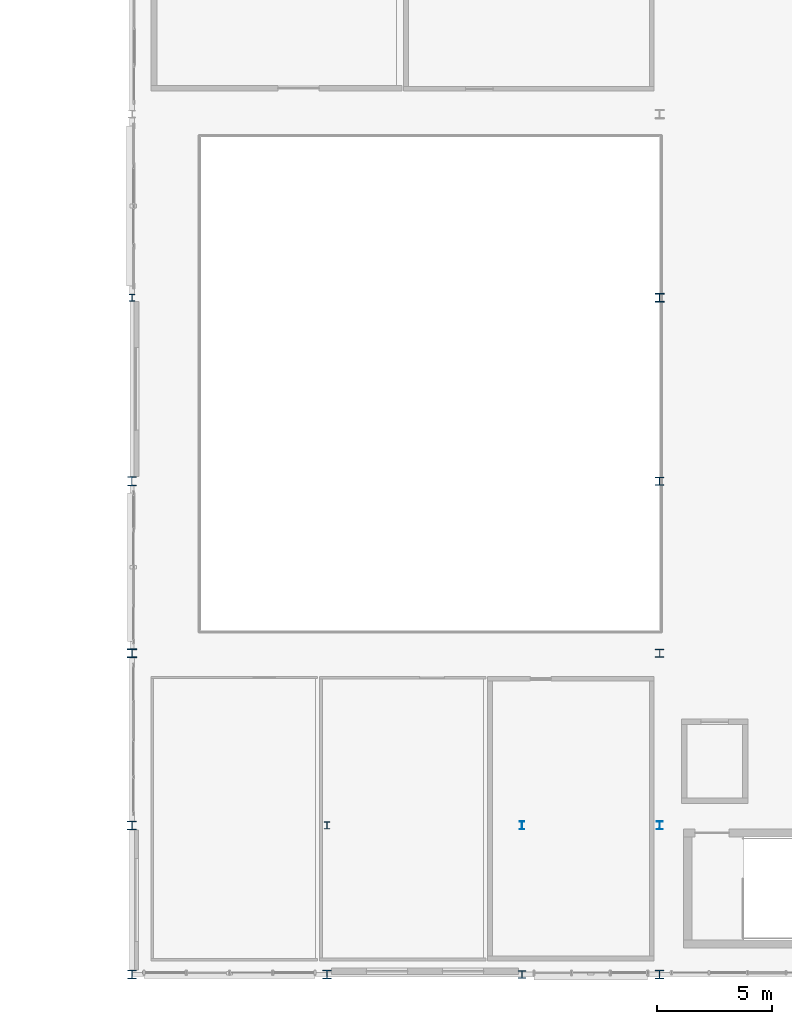
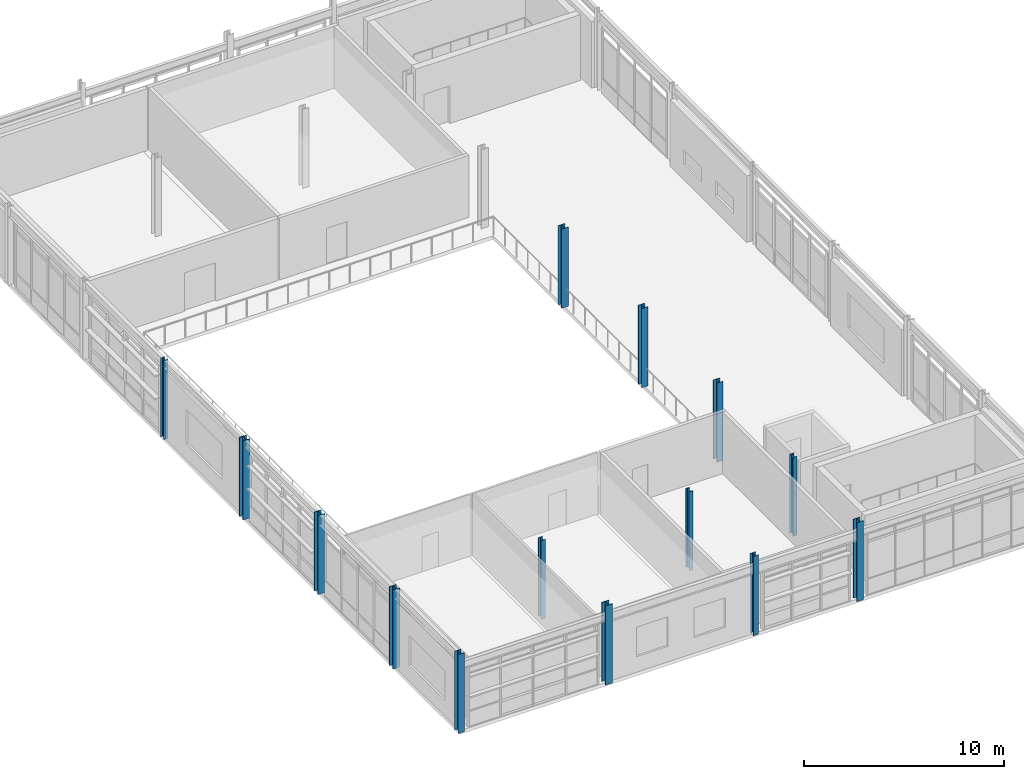
# One storey, part 2 of 56: 14 columns.
"""IFC4 building model written with IfcOpenShell, lengths in metres."""

from ifc_helpers import new_model, si_unit, direction, frame, origin, origin_2d, place, context, subcontext, project, spatial, i_section, extrude, material, material_profile, profile_set, type_object, element, save


model = new_model("IFC4")

# Units and contexts
model_context = context("Model", 3, precision=1e-05, world=origin(), true_north=direction((0.0, 1.0)))
body_context = subcontext(model_context, "Body", "Model", "MODEL_VIEW")
ifc_project = project(units=[si_unit("LENGTHUNIT", "METRE"), si_unit("AREAUNIT", "SQUARE_METRE"), si_unit("VOLUMEUNIT", "CUBIC_METRE"), si_unit("PLANEANGLEUNIT", "RADIAN"), si_unit("MASSUNIT", "GRAM", prefix="KILO"), si_unit("THERMODYNAMICTEMPERATUREUNIT", "KELVIN"), si_unit("POWERUNIT", "WATT")], contexts=[model_context])

# Site, building, storey
site_placement = place(None, origin())
site = spatial("IfcSite", under=ifc_project, at=site_placement, CompositionType="ELEMENT")
building_placement = place(site_placement, origin())
building = spatial("IfcBuilding", under=site, at=building_placement, Name="Tepalcoro Natatorium and Aquatics Centre", CompositionType="ELEMENT")
storey_placement = place(building_placement, frame((0.0, 0.0, 14.800048828125)))
storey = spatial("IfcBuildingStorey", under=building, at=storey_placement, Name="L03", CompositionType="ELEMENT", Elevation=14.800048828125)

# Columns
ifc_material = material(Name="Steel ASTM A992 Grade 50 (Fy 345 MPa)", Category="steel")
ifc_material_profile_1 = material_profile(ifc_material, i_section(OverallWidth=0.205078125, OverallDepth=0.35302734375, WebThickness=0.009033203125, FlangeThickness=0.01708984375, FilletRadius=0.013916015625, at=origin_2d()), Name="W14X53")
ifc_profile_set_1 = profile_set([ifc_material_profile_1], Name="Steel ASTM A992 Grade 50 (Fy 345 MPa)")
column_type_1 = type_object("IfcColumnType", Name="COL_CHS324x16", PredefinedType="COLUMN", material=ifc_profile_set_1)
column_1_placement = place(storey_placement, frame((159.0, 13.0, 0.0), z_axis=(0.0, 0.0, 1.0), x_axis=(1.0, 0.0, 0.0)))
element("IfcColumn", 1, at=column_1_placement, inside=storey, type_object=column_type_1, Name="V2 L03 Grid Column (159.0, 13.0)", PredefinedType="COLUMN", context=body_context, shape_type="SweptSolid", body=[
    extrude(i_section(OverallWidth=0.205078125, OverallDepth=0.35302734375, WebThickness=0.009033203125, FlangeThickness=0.01708984375, FilletRadius=0.013916015625, at=origin_2d()), origin(), (0.0, 0.0, 1.0), 4.820068359375),
])
ifc_material_profile_2 = material_profile(ifc_material, i_section(OverallWidth=0.31005859375, OverallDepth=0.327880859375, WebThickness=0.014892578125, FlangeThickness=0.02490234375, FilletRadius=0.013916015625, at=origin_2d()), Name="W12X106")
ifc_profile_set_2 = profile_set([ifc_material_profile_2], Name="Steel ASTM A992 Grade 50 (Fy 345 MPa)")
column_type_2 = type_object("IfcColumnType", Name="COL_W12x106", PredefinedType="COLUMN", material=ifc_profile_set_2)
column_2_placement = place(storey_placement, frame((159.0, 6.5, 0.0), z_axis=(0.0, 0.0, 1.0), x_axis=(1.0, 0.0, 0.0)))
element("IfcColumn", 2, at=column_2_placement, inside=storey, type_object=column_type_2, Name="V2 L03 Grid Column (159.0, 6.5)", PredefinedType="COLUMN", context=body_context, shape_type="SweptSolid", body=[
    extrude(i_section(OverallWidth=0.31005859375, OverallDepth=0.327880859375, WebThickness=0.014892578125, FlangeThickness=0.02490234375, FilletRadius=0.013916015625, at=origin_2d()), origin(), (0.0, 0.0, 1.0), 4.820068359375),
])
ifc_material_profile_3 = material_profile(ifc_material, i_section(OverallWidth=0.25390625, OverallDepth=0.306884765625, WebThickness=0.009033203125, FlangeThickness=0.014892578125, FilletRadius=0.013916015625, at=origin_2d()), Name="W12X53")
ifc_profile_set_3 = profile_set([ifc_material_profile_3], Name="Steel ASTM A992 Grade 50 (Fy 345 MPa)")
column_type_3 = type_object("IfcColumnType", Name="COL_W12x53", PredefinedType="COLUMN", material=ifc_profile_set_3)
for number, where, z_axis, x_axis, name in (
    (3, (142.0, 36.0, 0.0), (0.0, 0.0, 1.0), (1.0, 0.0, 0.0), "V2 L03 Grid Column (142.0, 36.0)"),
    (4, (150.5, 13.0, 0.0), (0.0, 0.0, 1.0), (1.0, 0.0, 0.0), "V2 L03 Grid Column (150.5, 13.0)"),
):
    element("IfcColumn", number, at=place(storey_placement, frame(where, z_axis=z_axis, x_axis=x_axis)), inside=storey, type_object=column_type_3, Name=name, PredefinedType="COLUMN", context=body_context, shape_type="SweptSolid", body=[
        extrude(i_section(OverallWidth=0.25390625, OverallDepth=0.306884765625, WebThickness=0.009033203125, FlangeThickness=0.014892578125, FilletRadius=0.013916015625, at=origin_2d()), origin(), (0.0, 0.0, 1.0), 4.820068359375),
    ])
ifc_material_profile_4 = material_profile(ifc_material, i_section(OverallWidth=0.373046875, OverallDepth=0.367919921875, WebThickness=0.014892578125, FlangeThickness=0.02392578125, FilletRadius=0.013916015625, at=origin_2d()), Name="W14X120")
ifc_profile_set_4 = profile_set([ifc_material_profile_4], Name="Steel ASTM A992 Grade 50 (Fy 345 MPa)")
column_type_4 = type_object("IfcColumnType", Name="COL_W14x120", PredefinedType="COLUMN", material=ifc_profile_set_4)
for number, where, z_axis, x_axis, name in (
    (5, (142.0, 6.5, 0.0), (0.0, 0.0, 1.0), (1.0, 0.0, 0.0), "V2 L03 Grid Column (142.0, 6.5)"),
    (6, (165.0, 28.0, 0.0), (0.0, 0.0, 1.0), (1.0, 0.0, 0.0), "V2 L03 Grid Column (165.0, 28.0)"),
):
    element("IfcColumn", number, at=place(storey_placement, frame(where, z_axis=z_axis, x_axis=x_axis)), inside=storey, type_object=column_type_4, Name=name, PredefinedType="COLUMN", context=body_context, shape_type="SweptSolid", body=[
        extrude(i_section(OverallWidth=0.373046875, OverallDepth=0.367919921875, WebThickness=0.014892578125, FlangeThickness=0.02392578125, FilletRadius=0.013916015625, at=origin_2d()), origin(), (0.0, 0.0, 1.0), 4.820068359375),
    ])
ifc_material_profile_5 = material_profile(ifc_material, i_section(OverallWidth=0.3740234375, OverallDepth=0.373046875, WebThickness=0.01611328125, FlangeThickness=0.02587890625, FilletRadius=0.013916015625, at=origin_2d()), Name="W14X132")
ifc_profile_set_5 = profile_set([ifc_material_profile_5], Name="Steel ASTM A992 Grade 50 (Fy 345 MPa)")
column_type_5 = type_object("IfcColumnType", Name="COL_W14x132", PredefinedType="COLUMN", material=ifc_profile_set_5)
column_3_placement = place(storey_placement, frame((165.0, 6.5, 0.0), z_axis=(0.0, 0.0, 1.0), x_axis=(1.0, 0.0, 0.0)))
element("IfcColumn", 7, at=column_3_placement, inside=storey, type_object=column_type_5, Name="V2 L03 Grid Column (165.0, 6.5)", PredefinedType="COLUMN", context=body_context, shape_type="SweptSolid", body=[
    extrude(i_section(OverallWidth=0.3740234375, OverallDepth=0.373046875, WebThickness=0.01611328125, FlangeThickness=0.02587890625, FilletRadius=0.013916015625, at=origin_2d()), origin(), (0.0, 0.0, 1.0), 4.820068359375),
])
ifc_material_profile_6 = material_profile(ifc_material, i_section(OverallWidth=0.39404296875, OverallDepth=0.3759765625, WebThickness=0.01708984375, FlangeThickness=0.028076171875, FilletRadius=0.013916015625, at=origin_2d()), Name="W14X145")
ifc_profile_set_6 = profile_set([ifc_material_profile_6], Name="Steel ASTM A992 Grade 50 (Fy 345 MPa)")
column_type_6 = type_object("IfcColumnType", Name="COL_W14x145", PredefinedType="COLUMN", material=ifc_profile_set_6)
for number, where, z_axis, x_axis, name in (
    (8, (142.0, 13.0, 0.0), (0.0, 0.0, 1.0), (1.0, 0.0, 0.0), "V2 L03 Grid Column (142.0, 13.0)"),
    (9, (165.0, 36.0, 0.0), (0.0, 0.0, 1.0), (1.0, 0.0, 0.0), "V2 L03 Grid Column (165.0, 36.0)"),
):
    element("IfcColumn", number, at=place(storey_placement, frame(where, z_axis=z_axis, x_axis=x_axis)), inside=storey, type_object=column_type_6, Name=name, PredefinedType="COLUMN", context=body_context, shape_type="SweptSolid", body=[
        extrude(i_section(OverallWidth=0.39404296875, OverallDepth=0.3759765625, WebThickness=0.01708984375, FlangeThickness=0.028076171875, FilletRadius=0.013916015625, at=origin_2d()), origin(), (0.0, 0.0, 1.0), 4.820068359375),
    ])
ifc_material_profile_7 = material_profile(ifc_material, i_section(OverallWidth=0.39892578125, OverallDepth=0.385986328125, WebThickness=0.02099609375, FlangeThickness=0.032958984375, FilletRadius=0.013916015625, at=origin_2d()), Name="W14X176")
ifc_profile_set_7 = profile_set([ifc_material_profile_7], Name="Steel ASTM A992 Grade 50 (Fy 345 MPa)")
column_type_7 = type_object("IfcColumnType", Name="COL_W14x176", PredefinedType="COLUMN", material=ifc_profile_set_7)
column_4_placement = place(storey_placement, frame((142.0, 20.5, 0.0), z_axis=(0.0, 0.0, 1.0), x_axis=(1.0, 0.0, 0.0)))
element("IfcColumn", 10, at=column_4_placement, inside=storey, type_object=column_type_7, Name="V2 L03 Grid Column (142.0, 20.5)", PredefinedType="COLUMN", context=body_context, shape_type="SweptSolid", body=[
    extrude(i_section(OverallWidth=0.39892578125, OverallDepth=0.385986328125, WebThickness=0.02099609375, FlangeThickness=0.032958984375, FilletRadius=0.013916015625, at=origin_2d()), origin(), (0.0, 0.0, 1.0), 4.820068359375),
])
ifc_material_profile_8 = material_profile(ifc_material, i_section(OverallWidth=0.40087890625, OverallDepth=0.39892578125, WebThickness=0.02490234375, FlangeThickness=0.0400390625, FilletRadius=0.013916015625, at=origin_2d()), Name="W14X211")
ifc_profile_set_8 = profile_set([ifc_material_profile_8], Name="Steel ASTM A992 Grade 50 (Fy 345 MPa)")
column_type_8 = type_object("IfcColumnType", Name="COL_W14x211", PredefinedType="COLUMN", material=ifc_profile_set_8)
for number, where, z_axis, x_axis, name in (
    (11, (142.0, 28.0, 0.0), (0.0, 0.0, 1.0), (1.0, 0.0, 0.0), "V2 L03 Grid Column (142.0, 28.0)"),
    (12, (150.5, 6.5, 0.0), (0.0, 0.0, 1.0), (1.0, 0.0, 0.0), "V2 L03 Grid Column (150.5, 6.5)"),
):
    element("IfcColumn", number, at=place(storey_placement, frame(where, z_axis=z_axis, x_axis=x_axis)), inside=storey, type_object=column_type_8, Name=name, PredefinedType="COLUMN", context=body_context, shape_type="SweptSolid", body=[
        extrude(i_section(OverallWidth=0.40087890625, OverallDepth=0.39892578125, WebThickness=0.02490234375, FlangeThickness=0.0400390625, FilletRadius=0.013916015625, at=origin_2d()), origin(), (0.0, 0.0, 1.0), 4.820068359375),
    ])
ifc_material_profile_9 = material_profile(ifc_material, i_section(OverallWidth=0.25390625, OverallDepth=0.35595703125, WebThickness=0.010986328125, FlangeThickness=0.01806640625, FilletRadius=0.013916015625, at=origin_2d()), Name="W14X68")
ifc_profile_set_9 = profile_set([ifc_material_profile_9], Name="Steel ASTM A992 Grade 50 (Fy 345 MPa)")
column_type_9 = type_object("IfcColumnType", Name="COL_W14x68", PredefinedType="COLUMN", material=ifc_profile_set_9)
column_5_placement = place(storey_placement, frame((165.0, 13.0, 0.0), z_axis=(0.0, 0.0, 1.0), x_axis=(1.0, 0.0, 0.0)))
element("IfcColumn", 13, at=column_5_placement, inside=storey, type_object=column_type_9, Name="V2 L03 Grid Column (165.0, 13.0)", PredefinedType="COLUMN", context=body_context, shape_type="SweptSolid", body=[
    extrude(i_section(OverallWidth=0.25390625, OverallDepth=0.35595703125, WebThickness=0.010986328125, FlangeThickness=0.01806640625, FilletRadius=0.013916015625, at=origin_2d()), origin(), (0.0, 0.0, 1.0), 4.820068359375),
])
ifc_material_profile_10 = material_profile(ifc_material, i_section(OverallWidth=0.367919921875, OverallDepth=0.35595703125, WebThickness=0.010986328125, FlangeThickness=0.01806640625, FilletRadius=0.013916015625, at=origin_2d()), Name="W14X90")
ifc_profile_set_10 = profile_set([ifc_material_profile_10], Name="Steel ASTM A992 Grade 50 (Fy 345 MPa)")
column_type_10 = type_object("IfcColumnType", Name="COL_W14x90", PredefinedType="COLUMN", material=ifc_profile_set_10)
column_6_placement = place(storey_placement, frame((165.0, 20.5, 0.0), z_axis=(0.0, 0.0, 1.0), x_axis=(1.0, 0.0, 0.0)))
element("IfcColumn", 14, at=column_6_placement, inside=storey, type_object=column_type_10, Name="V2 L03 Grid Column (165.0, 20.5)", PredefinedType="COLUMN", context=body_context, shape_type="SweptSolid", body=[
    extrude(i_section(OverallWidth=0.367919921875, OverallDepth=0.35595703125, WebThickness=0.010986328125, FlangeThickness=0.01806640625, FilletRadius=0.013916015625, at=origin_2d()), origin(), (0.0, 0.0, 1.0), 4.820068359375),
])

save(model, "model.ifc")
